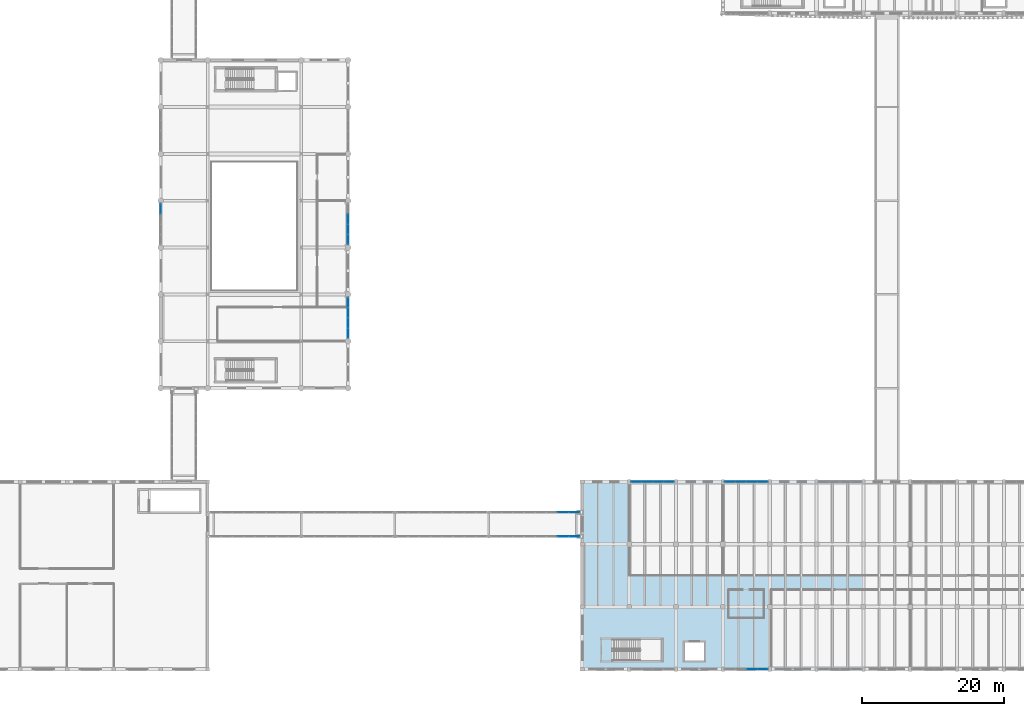
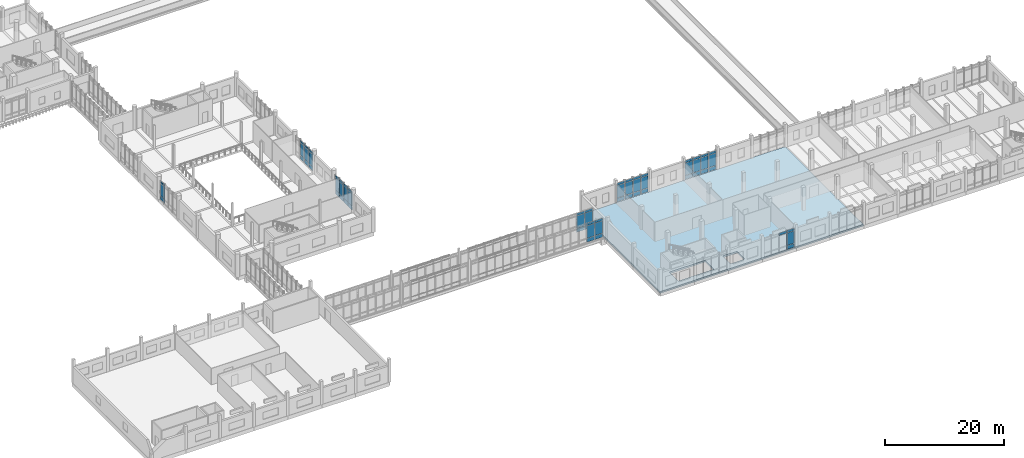
# One storey, part 50 of 101: 64 plates, 1 slab, 8 elements without a shape of their own.
"""IFC4 building model written with IfcOpenShell, lengths in metres."""

from ifc_helpers import new_model, si_unit, direction, frame, origin, origin_2d, place, context, subcontext, project, spatial, polyline, rectangle, outline, extrude, material, layer, layer_set, type_object, element, aggregate, save


model = new_model("IFC4")

# Units and contexts
model_context = context("Model", 3, precision=1e-05, world=origin(), true_north=direction((0.0, 1.0)))
body_context = subcontext(model_context, "Body", "Model", "MODEL_VIEW")
ifc_project = project(units=[si_unit("LENGTHUNIT", "METRE"), si_unit("AREAUNIT", "SQUARE_METRE"), si_unit("VOLUMEUNIT", "CUBIC_METRE"), si_unit("PLANEANGLEUNIT", "RADIAN"), si_unit("MASSUNIT", "GRAM", prefix="KILO")], contexts=[model_context])

# Site, building, storey
site_placement = place(None, origin())
site = spatial("IfcSite", under=ifc_project, at=site_placement, CompositionType="ELEMENT")
building_placement = place(site_placement, origin())
building = spatial("IfcBuilding", under=site, at=building_placement, Name="Dornvale Research Institute", CompositionType="ELEMENT")
storey_placement = place(building_placement, frame((0.0, 0.0, 10.199951171875)))
storey = spatial("IfcBuildingStorey", under=building, at=storey_placement, Name="L02", CompositionType="ELEMENT", Elevation=10.199951171875)

# Curtain wall, plate
ifc_material_1 = material(Name="Low-E Argon Double Insulating Glazing Unit", Category="glass")
curtain_wall_type_1 = type_object("IfcCurtainWallType", Name="UnitisedCurtainWall_V2_5810x3950", PredefinedType="USERDEFINED", material=ifc_material_1)
curtain_wall_1_placement = place(storey_placement, origin())
curtain_wall_1 = element("IfcCurtainWall", 1, at=curtain_wall_1_placement, inside=storey, type_object=curtain_wall_type_1, Name="L02 V2 unitised curtain wall CW-02 #10", ObjectType="UNITISED CURTAIN WALL", PredefinedType="USERDEFINED")
ifc_material_2 = material(Name="Insulated Ceramic-Frit Spandrel Glass Panel", Category="glass")
ifc_layer_1 = layer(ifc_material_2, 0.0419921875)
ifc_layer_set_1 = layer_set([ifc_layer_1], Name="Insulated Ceramic-Frit Spandrel Glass Panel")
plate_type_1 = type_object("IfcPlateType", Name="CurtainPanel_Spandrel_42", PredefinedType="CURTAIN_PANEL", material=ifc_layer_set_1)
plate_1_placement = place(storey_placement, frame((39.60009765625, 64.862548828125, 0.065185546875), z_axis=(0.0, 0.0, 1.0), x_axis=(0.0, 1.0, 0.0)))
plate_1 = element("IfcPlate", 2, at=plate_1_placement, type_object=plate_type_1, Name="CW-02 panel 4.1", PredefinedType="CURTAIN_PANEL", context=body_context, shape_type="SweptSolid", body=[
    extrude(rectangle(XDim=1.35498046875, YDim=0.0419921875, at=origin_2d()), origin(), (0.0, 0.0, 1.0), 0.75244140625),
])

# Curtain wall, plates
curtain_wall_2_placement = place(storey_placement, origin())
curtain_wall_2 = element("IfcCurtainWall", 3, at=curtain_wall_2_placement, inside=storey, type_object=curtain_wall_type_1, Name="L02 V2 unitised curtain wall CW-02 #13", ObjectType="UNITISED CURTAIN WALL", PredefinedType="USERDEFINED")
plate_2_placement = place(storey_placement, frame((66.0, 63.42626953125, 0.065185546875), z_axis=(0.0, 0.0, 1.0), x_axis=(0.0, -1.0, 0.0)))
plate_2 = element("IfcPlate", 4, at=plate_2_placement, type_object=plate_type_1, Name="CW-02 panel 2.1", PredefinedType="CURTAIN_PANEL", context=body_context, shape_type="SweptSolid", body=[
    extrude(rectangle(XDim=1.387451171875, YDim=0.0419921875, at=origin_2d()), origin(), (0.0, 0.0, 1.0), 0.75244140625),
])
plate_3_placement = place(storey_placement, frame((66.0, 61.9736328125, 0.065185546875), z_axis=(0.0, 0.0, 1.0), x_axis=(0.0, -1.0, 0.0)))
plate_3 = element("IfcPlate", 5, at=plate_3_placement, type_object=plate_type_1, Name="CW-02 panel 3.1", PredefinedType="CURTAIN_PANEL", context=body_context, shape_type="SweptSolid", body=[
    extrude(rectangle(XDim=1.387451171875, YDim=0.0419921875, at=origin_2d()), origin(), (0.0, 0.0, 1.0), 0.75244140625),
])
plate_4_placement = place(storey_placement, frame((66.0, 60.53759765625, 0.065185546875), z_axis=(0.0, 0.0, 1.0), x_axis=(0.0, -1.0, 0.0)))
plate_4 = element("IfcPlate", 6, at=plate_4_placement, type_object=plate_type_1, Name="CW-02 panel 4.1", PredefinedType="CURTAIN_PANEL", context=body_context, shape_type="SweptSolid", body=[
    extrude(rectangle(XDim=1.35498046875, YDim=0.0419921875, at=origin_2d()), origin(), (0.0, 0.0, 1.0), 0.75244140625),
])

curtain_wall_3_placement = place(storey_placement, origin())
curtain_wall_3 = element("IfcCurtainWall", 7, at=curtain_wall_3_placement, inside=storey, type_object=curtain_wall_type_1, Name="L02 V2 unitised curtain wall CW-02 #14", ObjectType="UNITISED CURTAIN WALL", PredefinedType="USERDEFINED")
plate_5_placement = place(storey_placement, frame((66.0, 51.66259765625, 0.065185546875), z_axis=(0.0, 0.0, 1.0), x_axis=(0.0, -1.0, 0.0)))
plate_5 = element("IfcPlate", 8, at=plate_5_placement, type_object=plate_type_1, Name="CW-02 panel 1.1", PredefinedType="CURTAIN_PANEL", context=body_context, shape_type="SweptSolid", body=[
    extrude(rectangle(XDim=1.35498046875, YDim=0.0419921875, at=origin_2d()), origin(), (0.0, 0.0, 1.0), 0.75244140625),
])
plate_6_placement = place(storey_placement, frame((66.0, 50.226318359375, 0.065185546875), z_axis=(0.0, 0.0, 1.0), x_axis=(0.0, -1.0, 0.0)))
plate_6 = element("IfcPlate", 9, at=plate_6_placement, type_object=plate_type_1, Name="CW-02 panel 2.1", PredefinedType="CURTAIN_PANEL", context=body_context, shape_type="SweptSolid", body=[
    extrude(rectangle(XDim=1.387451171875, YDim=0.0419921875, at=origin_2d()), origin(), (0.0, 0.0, 1.0), 0.75244140625),
])
plate_7_placement = place(storey_placement, frame((66.0, 48.773681640625, 0.065185546875), z_axis=(0.0, 0.0, 1.0), x_axis=(0.0, -1.0, 0.0)))
plate_7 = element("IfcPlate", 10, at=plate_7_placement, type_object=plate_type_1, Name="CW-02 panel 3.1", PredefinedType="CURTAIN_PANEL", context=body_context, shape_type="SweptSolid", body=[
    extrude(rectangle(XDim=1.387451171875, YDim=0.0419921875, at=origin_2d()), origin(), (0.0, 0.0, 1.0), 0.75244140625),
])
plate_8_placement = place(storey_placement, frame((66.0, 47.33740234375, 0.065185546875), z_axis=(0.0, 0.0, 1.0), x_axis=(0.0, -1.0, 0.0)))
plate_8 = element("IfcPlate", 11, at=plate_8_placement, type_object=plate_type_1, Name="CW-02 panel 4.1", PredefinedType="CURTAIN_PANEL", context=body_context, shape_type="SweptSolid", body=[
    extrude(rectangle(XDim=1.35498046875, YDim=0.0419921875, at=origin_2d()), origin(), (0.0, 0.0, 1.0), 0.75244140625),
])

ifc_material_3 = material(Name="Low-E Argon Double Insulating Glazing Unit", Category="glass")
curtain_wall_type_2 = type_object("IfcCurtainWallType", Name="UnitisedCurtainWall_V3_6150x4000", PredefinedType="USERDEFINED", material=ifc_material_3)
curtain_wall_4_placement = place(storey_placement, origin())
curtain_wall_4 = element("IfcCurtainWall", 12, at=curtain_wall_4_placement, inside=storey, type_object=curtain_wall_type_2, Name="L02 V3 unitised curtain wall CW-06 #42", ObjectType="UNITISED CURTAIN WALL", PredefinedType="USERDEFINED")
plate_9_placement = place(storey_placement, frame((106.610107421875, 26.39990234375, 0.065185546875), z_axis=(0.0, 0.0, 1.0), x_axis=(1.0, 0.0, 0.0)))
plate_9 = element("IfcPlate", 13, at=plate_9_placement, type_object=plate_type_1, Name="CW-06 panel 1.1", PredefinedType="CURTAIN_PANEL", context=body_context, shape_type="SweptSolid", body=[
    extrude(rectangle(XDim=1.43994140625, YDim=0.0419921875, at=origin_2d()), origin(), (0.0, 0.0, 1.0), 0.75244140625),
])
plate_10_placement = place(storey_placement, frame((108.13134765625, 26.39990234375, 0.065185546875), z_axis=(0.0, 0.0, 1.0), x_axis=(1.0, 0.0, 0.0)))
plate_10 = element("IfcPlate", 14, at=plate_10_placement, type_object=plate_type_1, Name="CW-06 panel 2.1", PredefinedType="CURTAIN_PANEL", context=body_context, shape_type="SweptSolid", body=[
    extrude(rectangle(XDim=1.472412109375, YDim=0.0419921875, at=origin_2d()), origin(), (0.0, 0.0, 1.0), 0.75244140625),
])
plate_11_placement = place(storey_placement, frame((109.668701171875, 26.39990234375, 0.065185546875), z_axis=(0.0, 0.0, 1.0), x_axis=(1.0, 0.0, 0.0)))
plate_11 = element("IfcPlate", 15, at=plate_11_placement, type_object=plate_type_1, Name="CW-06 panel 3.1", PredefinedType="CURTAIN_PANEL", context=body_context, shape_type="SweptSolid", body=[
    extrude(rectangle(XDim=1.472412109375, YDim=0.0419921875, at=origin_2d()), origin(), (0.0, 0.0, 1.0), 0.75244140625),
])
plate_12_placement = place(storey_placement, frame((111.18994140625, 26.39990234375, 0.065185546875), z_axis=(0.0, 0.0, 1.0), x_axis=(1.0, 0.0, 0.0)))
plate_12 = element("IfcPlate", 16, at=plate_12_placement, type_object=plate_type_1, Name="CW-06 panel 4.1", PredefinedType="CURTAIN_PANEL", context=body_context, shape_type="SweptSolid", body=[
    extrude(rectangle(XDim=1.43994140625, YDim=0.0419921875, at=origin_2d()), origin(), (0.0, 0.0, 1.0), 0.75244140625),
])

curtain_wall_5_placement = place(storey_placement, origin())
curtain_wall_5 = element("IfcCurtainWall", 17, at=curtain_wall_5_placement, inside=storey, type_object=curtain_wall_type_2, Name="L02 V3 unitised curtain wall CW-06 #43", ObjectType="UNITISED CURTAIN WALL", PredefinedType="USERDEFINED")
plate_13_placement = place(storey_placement, frame((119.81005859375, 26.39990234375, 0.065185546875), z_axis=(0.0, 0.0, 1.0), x_axis=(1.0, 0.0, 0.0)))
plate_13 = element("IfcPlate", 18, at=plate_13_placement, type_object=plate_type_1, Name="CW-06 panel 1.1", PredefinedType="CURTAIN_PANEL", context=body_context, shape_type="SweptSolid", body=[
    extrude(rectangle(XDim=1.43994140625, YDim=0.0419921875, at=origin_2d()), origin(), (0.0, 0.0, 1.0), 0.75244140625),
])
plate_14_placement = place(storey_placement, frame((121.331298828125, 26.39990234375, 0.065185546875), z_axis=(0.0, 0.0, 1.0), x_axis=(1.0, 0.0, 0.0)))
plate_14 = element("IfcPlate", 19, at=plate_14_placement, type_object=plate_type_1, Name="CW-06 panel 2.1", PredefinedType="CURTAIN_PANEL", context=body_context, shape_type="SweptSolid", body=[
    extrude(rectangle(XDim=1.472412109375, YDim=0.0419921875, at=origin_2d()), origin(), (0.0, 0.0, 1.0), 0.75244140625),
])
plate_15_placement = place(storey_placement, frame((122.86865234375, 26.39990234375, 0.065185546875), z_axis=(0.0, 0.0, 1.0), x_axis=(1.0, 0.0, 0.0)))
plate_15 = element("IfcPlate", 20, at=plate_15_placement, type_object=plate_type_1, Name="CW-06 panel 3.1", PredefinedType="CURTAIN_PANEL", context=body_context, shape_type="SweptSolid", body=[
    extrude(rectangle(XDim=1.472412109375, YDim=0.0419921875, at=origin_2d()), origin(), (0.0, 0.0, 1.0), 0.75244140625),
])
plate_16_placement = place(storey_placement, frame((124.389892578125, 26.39990234375, 0.065185546875), z_axis=(0.0, 0.0, 1.0), x_axis=(1.0, 0.0, 0.0)))
plate_16 = element("IfcPlate", 21, at=plate_16_placement, type_object=plate_type_1, Name="CW-06 panel 4.1", PredefinedType="CURTAIN_PANEL", context=body_context, shape_type="SweptSolid", body=[
    extrude(rectangle(XDim=1.43994140625, YDim=0.0419921875, at=origin_2d()), origin(), (0.0, 0.0, 1.0), 0.75244140625),
])

# Curtain wall, plate
curtain_wall_6_placement = place(storey_placement, origin())
curtain_wall_6 = element("IfcCurtainWall", 22, at=curtain_wall_6_placement, inside=storey, type_object=curtain_wall_type_2, Name="L02 V3 unitised curtain wall CW-06 #52", ObjectType="UNITISED CURTAIN WALL", PredefinedType="USERDEFINED")
plate_17_placement = place(storey_placement, frame((124.389892578125, 0.0, 0.065185546875), z_axis=(0.0, 0.0, 1.0), x_axis=(-1.0, 0.0, 0.0)))
plate_17 = element("IfcPlate", 23, at=plate_17_placement, type_object=plate_type_1, Name="CW-06 panel 1.1", PredefinedType="CURTAIN_PANEL", context=body_context, shape_type="SweptSolid", body=[
    extrude(rectangle(XDim=1.43994140625, YDim=0.0419921875, at=origin_2d()), origin(), (0.0, 0.0, 1.0), 0.75244140625),
])

# Curtain wall, plates
ifc_material_4 = material(Name="Low-E Argon Double Insulating Glazing Unit", Category="glass")
curtain_wall_type_3 = type_object("IfcCurtainWallType", Name="UnitisedCurtainWall_V2_12600x4000", PredefinedType="USERDEFINED", material=ifc_material_4)
curtain_wall_7_placement = place(storey_placement, origin())
curtain_wall_7 = element("IfcCurtainWall", 24, at=curtain_wall_7_placement, inside=storey, type_object=curtain_wall_type_3, Name="L02 V2 unitised curtain wall CW-41 #229", ObjectType="UNITISED CURTAIN WALL", PredefinedType="USERDEFINED")
plate_18_placement = place(storey_placement, frame((96.28759765625, 22.10009765625, 0.065185546875), z_axis=(0.0, 0.0, 1.0), x_axis=(1.0, 0.0, 0.0)))
plate_18 = element("IfcPlate", 25, at=plate_18_placement, type_object=plate_type_1, Name="CW-41 panel 7.1", PredefinedType="CURTAIN_PANEL", context=body_context, shape_type="SweptSolid", body=[
    extrude(rectangle(XDim=1.510009765625, YDim=0.0419921875, at=origin_2d()), origin(), (0.0, 0.0, 1.0), 0.75244140625),
])
plate_19_placement = place(storey_placement, frame((97.84619140625, 22.10009765625, 0.065185546875), z_axis=(0.0, 0.0, 1.0), x_axis=(1.0, 0.0, 0.0)))
plate_19 = element("IfcPlate", 26, at=plate_19_placement, type_object=plate_type_1, Name="CW-41 panel 8.1", PredefinedType="CURTAIN_PANEL", context=body_context, shape_type="SweptSolid", body=[
    extrude(rectangle(XDim=1.4775390625, YDim=0.0419921875, at=origin_2d()), origin(), (0.0, 0.0, 1.0), 0.75244140625),
])

curtain_wall_8_placement = place(storey_placement, origin())
curtain_wall_8 = element("IfcCurtainWall", 27, at=curtain_wall_8_placement, inside=storey, type_object=curtain_wall_type_3, Name="L02 V2 unitised curtain wall CW-41 #230", ObjectType="UNITISED CURTAIN WALL", PredefinedType="USERDEFINED")
plate_20_placement = place(storey_placement, frame((97.84619140625, 18.699951171875, 0.065185546875), z_axis=(0.0, 0.0, 1.0), x_axis=(-1.0, 0.0, 0.0)))
plate_20 = element("IfcPlate", 28, at=plate_20_placement, type_object=plate_type_1, Name="CW-41 panel 1.1", PredefinedType="CURTAIN_PANEL", context=body_context, shape_type="SweptSolid", body=[
    extrude(rectangle(XDim=1.4775390625, YDim=0.0419921875, at=origin_2d()), origin(), (0.0, 0.0, 1.0), 0.75244140625),
])
plate_21_placement = place(storey_placement, frame((96.28759765625, 18.699951171875, 0.065185546875), z_axis=(0.0, 0.0, 1.0), x_axis=(-1.0, 0.0, 0.0)))
plate_21 = element("IfcPlate", 29, at=plate_21_placement, type_object=plate_type_1, Name="CW-41 panel 2.1", PredefinedType="CURTAIN_PANEL", context=body_context, shape_type="SweptSolid", body=[
    extrude(rectangle(XDim=1.510009765625, YDim=0.0419921875, at=origin_2d()), origin(), (0.0, 0.0, 1.0), 0.75244140625),
])

# Plate
ifc_material_5 = material(Name="Low-E Argon Double Insulating Glazing Unit", Category="glass")
ifc_layer_2 = layer(ifc_material_5, 0.028076171875)
ifc_layer_set_2 = layer_set([ifc_layer_2], Name="Low-E Argon Double Insulating Glazing Unit")
plate_type_2 = type_object("IfcPlateType", Name="CurtainPanel_Vision_28", PredefinedType="CURTAIN_PANEL", material=ifc_layer_set_2)
plate_22_placement = place(storey_placement, frame((39.60009765625, 64.862548828125, 0.88232421875), z_axis=(0.0, 0.0, 1.0), x_axis=(0.0, 1.0, 0.0)))
plate_22 = element("IfcPlate", 30, at=plate_22_placement, type_object=plate_type_2, Name="CW-02 panel 4.2", PredefinedType="CURTAIN_PANEL", context=body_context, shape_type="SweptSolid", body=[
    extrude(rectangle(XDim=1.35498046875, YDim=0.028076171875, at=origin_2d()), origin(), (0.0, 0.0, 1.0), 2.485107421875),
])

plate_23_placement = place(storey_placement, frame((39.60009765625, 64.862548828125, 3.4326171875), z_axis=(0.0, 0.0, 1.0), x_axis=(0.0, 1.0, 0.0)))
plate_23 = element("IfcPlate", 31, at=plate_23_placement, type_object=plate_type_2, Name="CW-02 panel 4.3", PredefinedType="CURTAIN_PANEL", context=body_context, shape_type="SweptSolid", body=[
    extrude(rectangle(XDim=1.35498046875, YDim=0.028076171875, at=origin_2d()), origin(), (0.0, 0.0, 1.0), 0.452392578125),
])

aggregate(curtain_wall_1, [plate_1, plate_22, plate_23])

plate_24_placement = place(storey_placement, frame((66.0, 63.42626953125, 0.88232421875), z_axis=(0.0, 0.0, 1.0), x_axis=(0.0, -1.0, 0.0)))
plate_24 = element("IfcPlate", 32, at=plate_24_placement, type_object=plate_type_2, Name="CW-02 panel 2.2", PredefinedType="CURTAIN_PANEL", context=body_context, shape_type="SweptSolid", body=[
    extrude(rectangle(XDim=1.387451171875, YDim=0.028076171875, at=origin_2d()), origin(), (0.0, 0.0, 1.0), 2.485107421875),
])

plate_25_placement = place(storey_placement, frame((66.0, 63.42626953125, 3.4326171875), z_axis=(0.0, 0.0, 1.0), x_axis=(0.0, -1.0, 0.0)))
plate_25 = element("IfcPlate", 33, at=plate_25_placement, type_object=plate_type_2, Name="CW-02 panel 2.3", PredefinedType="CURTAIN_PANEL", context=body_context, shape_type="SweptSolid", body=[
    extrude(rectangle(XDim=1.387451171875, YDim=0.028076171875, at=origin_2d()), origin(), (0.0, 0.0, 1.0), 0.452392578125),
])

plate_26_placement = place(storey_placement, frame((66.0, 61.9736328125, 0.88232421875), z_axis=(0.0, 0.0, 1.0), x_axis=(0.0, -1.0, 0.0)))
plate_26 = element("IfcPlate", 34, at=plate_26_placement, type_object=plate_type_2, Name="CW-02 panel 3.2", PredefinedType="CURTAIN_PANEL", context=body_context, shape_type="SweptSolid", body=[
    extrude(rectangle(XDim=1.387451171875, YDim=0.028076171875, at=origin_2d()), origin(), (0.0, 0.0, 1.0), 2.485107421875),
])

plate_27_placement = place(storey_placement, frame((66.0, 61.9736328125, 3.4326171875), z_axis=(0.0, 0.0, 1.0), x_axis=(0.0, -1.0, 0.0)))
plate_27 = element("IfcPlate", 35, at=plate_27_placement, type_object=plate_type_2, Name="CW-02 panel 3.3", PredefinedType="CURTAIN_PANEL", context=body_context, shape_type="SweptSolid", body=[
    extrude(rectangle(XDim=1.387451171875, YDim=0.028076171875, at=origin_2d()), origin(), (0.0, 0.0, 1.0), 0.452392578125),
])

plate_28_placement = place(storey_placement, frame((66.0, 60.53759765625, 0.88232421875), z_axis=(0.0, 0.0, 1.0), x_axis=(0.0, -1.0, 0.0)))
plate_28 = element("IfcPlate", 36, at=plate_28_placement, type_object=plate_type_2, Name="CW-02 panel 4.2", PredefinedType="CURTAIN_PANEL", context=body_context, shape_type="SweptSolid", body=[
    extrude(rectangle(XDim=1.35498046875, YDim=0.028076171875, at=origin_2d()), origin(), (0.0, 0.0, 1.0), 2.485107421875),
])

plate_29_placement = place(storey_placement, frame((66.0, 60.53759765625, 3.4326171875), z_axis=(0.0, 0.0, 1.0), x_axis=(0.0, -1.0, 0.0)))
plate_29 = element("IfcPlate", 37, at=plate_29_placement, type_object=plate_type_2, Name="CW-02 panel 4.3", PredefinedType="CURTAIN_PANEL", context=body_context, shape_type="SweptSolid", body=[
    extrude(rectangle(XDim=1.35498046875, YDim=0.028076171875, at=origin_2d()), origin(), (0.0, 0.0, 1.0), 0.452392578125),
])

aggregate(curtain_wall_2, [plate_2, plate_24, plate_25, plate_3, plate_26, plate_27, plate_4, plate_28, plate_29])

plate_30_placement = place(storey_placement, frame((66.0, 51.66259765625, 0.88232421875), z_axis=(0.0, 0.0, 1.0), x_axis=(0.0, -1.0, 0.0)))
plate_30 = element("IfcPlate", 38, at=plate_30_placement, type_object=plate_type_2, Name="CW-02 panel 1.2", PredefinedType="CURTAIN_PANEL", context=body_context, shape_type="SweptSolid", body=[
    extrude(rectangle(XDim=1.35498046875, YDim=0.028076171875, at=origin_2d()), origin(), (0.0, 0.0, 1.0), 2.485107421875),
])

plate_31_placement = place(storey_placement, frame((66.0, 51.66259765625, 3.4326171875), z_axis=(0.0, 0.0, 1.0), x_axis=(0.0, -1.0, 0.0)))
plate_31 = element("IfcPlate", 39, at=plate_31_placement, type_object=plate_type_2, Name="CW-02 panel 1.3", PredefinedType="CURTAIN_PANEL", context=body_context, shape_type="SweptSolid", body=[
    extrude(rectangle(XDim=1.35498046875, YDim=0.028076171875, at=origin_2d()), origin(), (0.0, 0.0, 1.0), 0.452392578125),
])

plate_32_placement = place(storey_placement, frame((66.0, 50.226318359375, 0.88232421875), z_axis=(0.0, 0.0, 1.0), x_axis=(0.0, -1.0, 0.0)))
plate_32 = element("IfcPlate", 40, at=plate_32_placement, type_object=plate_type_2, Name="CW-02 panel 2.2", PredefinedType="CURTAIN_PANEL", context=body_context, shape_type="SweptSolid", body=[
    extrude(rectangle(XDim=1.387451171875, YDim=0.028076171875, at=origin_2d()), origin(), (0.0, 0.0, 1.0), 2.485107421875),
])

plate_33_placement = place(storey_placement, frame((66.0, 50.226318359375, 3.4326171875), z_axis=(0.0, 0.0, 1.0), x_axis=(0.0, -1.0, 0.0)))
plate_33 = element("IfcPlate", 41, at=plate_33_placement, type_object=plate_type_2, Name="CW-02 panel 2.3", PredefinedType="CURTAIN_PANEL", context=body_context, shape_type="SweptSolid", body=[
    extrude(rectangle(XDim=1.387451171875, YDim=0.028076171875, at=origin_2d()), origin(), (0.0, 0.0, 1.0), 0.452392578125),
])

plate_34_placement = place(storey_placement, frame((66.0, 48.773681640625, 0.88232421875), z_axis=(0.0, 0.0, 1.0), x_axis=(0.0, -1.0, 0.0)))
plate_34 = element("IfcPlate", 42, at=plate_34_placement, type_object=plate_type_2, Name="CW-02 panel 3.2", PredefinedType="CURTAIN_PANEL", context=body_context, shape_type="SweptSolid", body=[
    extrude(rectangle(XDim=1.387451171875, YDim=0.028076171875, at=origin_2d()), origin(), (0.0, 0.0, 1.0), 2.485107421875),
])

plate_35_placement = place(storey_placement, frame((66.0, 48.773681640625, 3.4326171875), z_axis=(0.0, 0.0, 1.0), x_axis=(0.0, -1.0, 0.0)))
plate_35 = element("IfcPlate", 43, at=plate_35_placement, type_object=plate_type_2, Name="CW-02 panel 3.3", PredefinedType="CURTAIN_PANEL", context=body_context, shape_type="SweptSolid", body=[
    extrude(rectangle(XDim=1.387451171875, YDim=0.028076171875, at=origin_2d()), origin(), (0.0, 0.0, 1.0), 0.452392578125),
])

plate_36_placement = place(storey_placement, frame((66.0, 47.33740234375, 0.88232421875), z_axis=(0.0, 0.0, 1.0), x_axis=(0.0, -1.0, 0.0)))
plate_36 = element("IfcPlate", 44, at=plate_36_placement, type_object=plate_type_2, Name="CW-02 panel 4.2", PredefinedType="CURTAIN_PANEL", context=body_context, shape_type="SweptSolid", body=[
    extrude(rectangle(XDim=1.35498046875, YDim=0.028076171875, at=origin_2d()), origin(), (0.0, 0.0, 1.0), 2.485107421875),
])

plate_37_placement = place(storey_placement, frame((66.0, 47.33740234375, 3.4326171875), z_axis=(0.0, 0.0, 1.0), x_axis=(0.0, -1.0, 0.0)))
plate_37 = element("IfcPlate", 45, at=plate_37_placement, type_object=plate_type_2, Name="CW-02 panel 4.3", PredefinedType="CURTAIN_PANEL", context=body_context, shape_type="SweptSolid", body=[
    extrude(rectangle(XDim=1.35498046875, YDim=0.028076171875, at=origin_2d()), origin(), (0.0, 0.0, 1.0), 0.452392578125),
])

aggregate(curtain_wall_3, [plate_5, plate_30, plate_31, plate_6, plate_32, plate_33, plate_7, plate_34, plate_35, plate_8, plate_36, plate_37])

plate_38_placement = place(storey_placement, frame((106.610107421875, 26.39990234375, 0.8828125), z_axis=(0.0, 0.0, 1.0), x_axis=(1.0, 0.0, 0.0)))
plate_38 = element("IfcPlate", 46, at=plate_38_placement, type_object=plate_type_2, Name="CW-06 panel 1.2", PredefinedType="CURTAIN_PANEL", context=body_context, shape_type="SweptSolid", body=[
    extrude(rectangle(XDim=1.43994140625, YDim=0.028076171875, at=origin_2d()), origin(), (0.0, 0.0, 1.0), 2.534912109375),
])

plate_39_placement = place(storey_placement, frame((106.610107421875, 26.39990234375, 3.482421875), z_axis=(0.0, 0.0, 1.0), x_axis=(1.0, 0.0, 0.0)))
plate_39 = element("IfcPlate", 47, at=plate_39_placement, type_object=plate_type_2, Name="CW-06 panel 1.3", PredefinedType="CURTAIN_PANEL", context=body_context, shape_type="SweptSolid", body=[
    extrude(rectangle(XDim=1.43994140625, YDim=0.028076171875, at=origin_2d()), origin(), (0.0, 0.0, 1.0), 0.452392578125),
])

plate_40_placement = place(storey_placement, frame((108.13134765625, 26.39990234375, 0.8828125), z_axis=(0.0, 0.0, 1.0), x_axis=(1.0, 0.0, 0.0)))
plate_40 = element("IfcPlate", 48, at=plate_40_placement, type_object=plate_type_2, Name="CW-06 panel 2.2", PredefinedType="CURTAIN_PANEL", context=body_context, shape_type="SweptSolid", body=[
    extrude(rectangle(XDim=1.472412109375, YDim=0.028076171875, at=origin_2d()), origin(), (0.0, 0.0, 1.0), 2.534912109375),
])

plate_41_placement = place(storey_placement, frame((108.13134765625, 26.39990234375, 3.482421875), z_axis=(0.0, 0.0, 1.0), x_axis=(1.0, 0.0, 0.0)))
plate_41 = element("IfcPlate", 49, at=plate_41_placement, type_object=plate_type_2, Name="CW-06 panel 2.3", PredefinedType="CURTAIN_PANEL", context=body_context, shape_type="SweptSolid", body=[
    extrude(rectangle(XDim=1.472412109375, YDim=0.028076171875, at=origin_2d()), origin(), (0.0, 0.0, 1.0), 0.452392578125),
])

plate_42_placement = place(storey_placement, frame((109.668701171875, 26.39990234375, 0.8828125), z_axis=(0.0, 0.0, 1.0), x_axis=(1.0, 0.0, 0.0)))
plate_42 = element("IfcPlate", 50, at=plate_42_placement, type_object=plate_type_2, Name="CW-06 panel 3.2", PredefinedType="CURTAIN_PANEL", context=body_context, shape_type="SweptSolid", body=[
    extrude(rectangle(XDim=1.472412109375, YDim=0.028076171875, at=origin_2d()), origin(), (0.0, 0.0, 1.0), 2.534912109375),
])

plate_43_placement = place(storey_placement, frame((109.668701171875, 26.39990234375, 3.482421875), z_axis=(0.0, 0.0, 1.0), x_axis=(1.0, 0.0, 0.0)))
plate_43 = element("IfcPlate", 51, at=plate_43_placement, type_object=plate_type_2, Name="CW-06 panel 3.3", PredefinedType="CURTAIN_PANEL", context=body_context, shape_type="SweptSolid", body=[
    extrude(rectangle(XDim=1.472412109375, YDim=0.028076171875, at=origin_2d()), origin(), (0.0, 0.0, 1.0), 0.452392578125),
])

plate_44_placement = place(storey_placement, frame((111.18994140625, 26.39990234375, 0.8828125), z_axis=(0.0, 0.0, 1.0), x_axis=(1.0, 0.0, 0.0)))
plate_44 = element("IfcPlate", 52, at=plate_44_placement, type_object=plate_type_2, Name="CW-06 panel 4.2", PredefinedType="CURTAIN_PANEL", context=body_context, shape_type="SweptSolid", body=[
    extrude(rectangle(XDim=1.43994140625, YDim=0.028076171875, at=origin_2d()), origin(), (0.0, 0.0, 1.0), 2.534912109375),
])

plate_45_placement = place(storey_placement, frame((111.18994140625, 26.39990234375, 3.482421875), z_axis=(0.0, 0.0, 1.0), x_axis=(1.0, 0.0, 0.0)))
plate_45 = element("IfcPlate", 53, at=plate_45_placement, type_object=plate_type_2, Name="CW-06 panel 4.3", PredefinedType="CURTAIN_PANEL", context=body_context, shape_type="SweptSolid", body=[
    extrude(rectangle(XDim=1.43994140625, YDim=0.028076171875, at=origin_2d()), origin(), (0.0, 0.0, 1.0), 0.452392578125),
])

aggregate(curtain_wall_4, [plate_9, plate_38, plate_39, plate_10, plate_40, plate_41, plate_11, plate_42, plate_43, plate_12, plate_44, plate_45])

plate_46_placement = place(storey_placement, frame((119.81005859375, 26.39990234375, 0.8828125), z_axis=(0.0, 0.0, 1.0), x_axis=(1.0, 0.0, 0.0)))
plate_46 = element("IfcPlate", 54, at=plate_46_placement, type_object=plate_type_2, Name="CW-06 panel 1.2", PredefinedType="CURTAIN_PANEL", context=body_context, shape_type="SweptSolid", body=[
    extrude(rectangle(XDim=1.43994140625, YDim=0.028076171875, at=origin_2d()), origin(), (0.0, 0.0, 1.0), 2.534912109375),
])

plate_47_placement = place(storey_placement, frame((119.81005859375, 26.39990234375, 3.482421875), z_axis=(0.0, 0.0, 1.0), x_axis=(1.0, 0.0, 0.0)))
plate_47 = element("IfcPlate", 55, at=plate_47_placement, type_object=plate_type_2, Name="CW-06 panel 1.3", PredefinedType="CURTAIN_PANEL", context=body_context, shape_type="SweptSolid", body=[
    extrude(rectangle(XDim=1.43994140625, YDim=0.028076171875, at=origin_2d()), origin(), (0.0, 0.0, 1.0), 0.452392578125),
])

plate_48_placement = place(storey_placement, frame((121.331298828125, 26.39990234375, 0.8828125), z_axis=(0.0, 0.0, 1.0), x_axis=(1.0, 0.0, 0.0)))
plate_48 = element("IfcPlate", 56, at=plate_48_placement, type_object=plate_type_2, Name="CW-06 panel 2.2", PredefinedType="CURTAIN_PANEL", context=body_context, shape_type="SweptSolid", body=[
    extrude(rectangle(XDim=1.472412109375, YDim=0.028076171875, at=origin_2d()), origin(), (0.0, 0.0, 1.0), 2.534912109375),
])

plate_49_placement = place(storey_placement, frame((121.331298828125, 26.39990234375, 3.482421875), z_axis=(0.0, 0.0, 1.0), x_axis=(1.0, 0.0, 0.0)))
plate_49 = element("IfcPlate", 57, at=plate_49_placement, type_object=plate_type_2, Name="CW-06 panel 2.3", PredefinedType="CURTAIN_PANEL", context=body_context, shape_type="SweptSolid", body=[
    extrude(rectangle(XDim=1.472412109375, YDim=0.028076171875, at=origin_2d()), origin(), (0.0, 0.0, 1.0), 0.452392578125),
])

plate_50_placement = place(storey_placement, frame((122.86865234375, 26.39990234375, 0.8828125), z_axis=(0.0, 0.0, 1.0), x_axis=(1.0, 0.0, 0.0)))
plate_50 = element("IfcPlate", 58, at=plate_50_placement, type_object=plate_type_2, Name="CW-06 panel 3.2", PredefinedType="CURTAIN_PANEL", context=body_context, shape_type="SweptSolid", body=[
    extrude(rectangle(XDim=1.472412109375, YDim=0.028076171875, at=origin_2d()), origin(), (0.0, 0.0, 1.0), 2.534912109375),
])

plate_51_placement = place(storey_placement, frame((122.86865234375, 26.39990234375, 3.482421875), z_axis=(0.0, 0.0, 1.0), x_axis=(1.0, 0.0, 0.0)))
plate_51 = element("IfcPlate", 59, at=plate_51_placement, type_object=plate_type_2, Name="CW-06 panel 3.3", PredefinedType="CURTAIN_PANEL", context=body_context, shape_type="SweptSolid", body=[
    extrude(rectangle(XDim=1.472412109375, YDim=0.028076171875, at=origin_2d()), origin(), (0.0, 0.0, 1.0), 0.452392578125),
])

plate_52_placement = place(storey_placement, frame((124.389892578125, 26.39990234375, 0.8828125), z_axis=(0.0, 0.0, 1.0), x_axis=(1.0, 0.0, 0.0)))
plate_52 = element("IfcPlate", 60, at=plate_52_placement, type_object=plate_type_2, Name="CW-06 panel 4.2", PredefinedType="CURTAIN_PANEL", context=body_context, shape_type="SweptSolid", body=[
    extrude(rectangle(XDim=1.43994140625, YDim=0.028076171875, at=origin_2d()), origin(), (0.0, 0.0, 1.0), 2.534912109375),
])

plate_53_placement = place(storey_placement, frame((124.389892578125, 26.39990234375, 3.482421875), z_axis=(0.0, 0.0, 1.0), x_axis=(1.0, 0.0, 0.0)))
plate_53 = element("IfcPlate", 61, at=plate_53_placement, type_object=plate_type_2, Name="CW-06 panel 4.3", PredefinedType="CURTAIN_PANEL", context=body_context, shape_type="SweptSolid", body=[
    extrude(rectangle(XDim=1.43994140625, YDim=0.028076171875, at=origin_2d()), origin(), (0.0, 0.0, 1.0), 0.452392578125),
])

aggregate(curtain_wall_5, [plate_13, plate_46, plate_47, plate_14, plate_48, plate_49, plate_15, plate_50, plate_51, plate_16, plate_52, plate_53])

plate_54_placement = place(storey_placement, frame((124.389892578125, 0.0, 0.8828125), z_axis=(0.0, 0.0, 1.0), x_axis=(-1.0, 0.0, 0.0)))
plate_54 = element("IfcPlate", 62, at=plate_54_placement, type_object=plate_type_2, Name="CW-06 panel 1.2", PredefinedType="CURTAIN_PANEL", context=body_context, shape_type="SweptSolid", body=[
    extrude(rectangle(XDim=1.43994140625, YDim=0.028076171875, at=origin_2d()), origin(), (0.0, 0.0, 1.0), 2.534912109375),
])

plate_55_placement = place(storey_placement, frame((124.389892578125, 0.0, 3.482421875), z_axis=(0.0, 0.0, 1.0), x_axis=(-1.0, 0.0, 0.0)))
plate_55 = element("IfcPlate", 63, at=plate_55_placement, type_object=plate_type_2, Name="CW-06 panel 1.3", PredefinedType="CURTAIN_PANEL", context=body_context, shape_type="SweptSolid", body=[
    extrude(rectangle(XDim=1.43994140625, YDim=0.028076171875, at=origin_2d()), origin(), (0.0, 0.0, 1.0), 0.452392578125),
])

plate_56_placement = place(storey_placement, frame((122.86865234375, 0.0, 3.482421875), z_axis=(0.0, 0.0, 1.0), x_axis=(-1.0, 0.0, 0.0)))
plate_56 = element("IfcPlate", 64, at=plate_56_placement, type_object=plate_type_2, Name="CW-06 panel 2.3", PredefinedType="CURTAIN_PANEL", context=body_context, shape_type="SweptSolid", body=[
    extrude(rectangle(XDim=1.472412109375, YDim=0.028076171875, at=origin_2d()), origin(), (0.0, 0.0, 1.0), 0.452392578125),
])

aggregate(curtain_wall_6, [plate_17, plate_54, plate_55, plate_56])

plate_57_placement = place(storey_placement, frame((96.28759765625, 22.10009765625, 0.8828125), z_axis=(0.0, 0.0, 1.0), x_axis=(1.0, 0.0, 0.0)))
plate_57 = element("IfcPlate", 65, at=plate_57_placement, type_object=plate_type_2, Name="CW-41 panel 7.2", PredefinedType="CURTAIN_PANEL", context=body_context, shape_type="SweptSolid", body=[
    extrude(rectangle(XDim=1.510009765625, YDim=0.028076171875, at=origin_2d()), origin(), (0.0, 0.0, 1.0), 2.534912109375),
])

plate_58_placement = place(storey_placement, frame((96.28759765625, 22.10009765625, 3.482421875), z_axis=(0.0, 0.0, 1.0), x_axis=(1.0, 0.0, 0.0)))
plate_58 = element("IfcPlate", 66, at=plate_58_placement, type_object=plate_type_2, Name="CW-41 panel 7.3", PredefinedType="CURTAIN_PANEL", context=body_context, shape_type="SweptSolid", body=[
    extrude(rectangle(XDim=1.510009765625, YDim=0.028076171875, at=origin_2d()), origin(), (0.0, 0.0, 1.0), 0.452392578125),
])

plate_59_placement = place(storey_placement, frame((97.84619140625, 22.10009765625, 0.8828125), z_axis=(0.0, 0.0, 1.0), x_axis=(1.0, 0.0, 0.0)))
plate_59 = element("IfcPlate", 67, at=plate_59_placement, type_object=plate_type_2, Name="CW-41 panel 8.2", PredefinedType="CURTAIN_PANEL", context=body_context, shape_type="SweptSolid", body=[
    extrude(rectangle(XDim=1.4775390625, YDim=0.028076171875, at=origin_2d()), origin(), (0.0, 0.0, 1.0), 2.534912109375),
])

plate_60_placement = place(storey_placement, frame((97.84619140625, 22.10009765625, 3.482421875), z_axis=(0.0, 0.0, 1.0), x_axis=(1.0, 0.0, 0.0)))
plate_60 = element("IfcPlate", 68, at=plate_60_placement, type_object=plate_type_2, Name="CW-41 panel 8.3", PredefinedType="CURTAIN_PANEL", context=body_context, shape_type="SweptSolid", body=[
    extrude(rectangle(XDim=1.4775390625, YDim=0.028076171875, at=origin_2d()), origin(), (0.0, 0.0, 1.0), 0.452392578125),
])

aggregate(curtain_wall_7, [plate_18, plate_57, plate_58, plate_19, plate_59, plate_60])

plate_61_placement = place(storey_placement, frame((97.84619140625, 18.699951171875, 0.8828125), z_axis=(0.0, 0.0, 1.0), x_axis=(-1.0, 0.0, 0.0)))
plate_61 = element("IfcPlate", 69, at=plate_61_placement, type_object=plate_type_2, Name="CW-41 panel 1.2", PredefinedType="CURTAIN_PANEL", context=body_context, shape_type="SweptSolid", body=[
    extrude(rectangle(XDim=1.4775390625, YDim=0.028076171875, at=origin_2d()), origin(), (0.0, 0.0, 1.0), 2.534912109375),
])

plate_62_placement = place(storey_placement, frame((97.84619140625, 18.699951171875, 3.482421875), z_axis=(0.0, 0.0, 1.0), x_axis=(-1.0, 0.0, 0.0)))
plate_62 = element("IfcPlate", 70, at=plate_62_placement, type_object=plate_type_2, Name="CW-41 panel 1.3", PredefinedType="CURTAIN_PANEL", context=body_context, shape_type="SweptSolid", body=[
    extrude(rectangle(XDim=1.4775390625, YDim=0.028076171875, at=origin_2d()), origin(), (0.0, 0.0, 1.0), 0.452392578125),
])

plate_63_placement = place(storey_placement, frame((96.28759765625, 18.699951171875, 0.8828125), z_axis=(0.0, 0.0, 1.0), x_axis=(-1.0, 0.0, 0.0)))
plate_63 = element("IfcPlate", 71, at=plate_63_placement, type_object=plate_type_2, Name="CW-41 panel 2.2", PredefinedType="CURTAIN_PANEL", context=body_context, shape_type="SweptSolid", body=[
    extrude(rectangle(XDim=1.510009765625, YDim=0.028076171875, at=origin_2d()), origin(), (0.0, 0.0, 1.0), 2.534912109375),
])

plate_64_placement = place(storey_placement, frame((96.28759765625, 18.699951171875, 3.482421875), z_axis=(0.0, 0.0, 1.0), x_axis=(-1.0, 0.0, 0.0)))
plate_64 = element("IfcPlate", 72, at=plate_64_placement, type_object=plate_type_2, Name="CW-41 panel 2.3", PredefinedType="CURTAIN_PANEL", context=body_context, shape_type="SweptSolid", body=[
    extrude(rectangle(XDim=1.510009765625, YDim=0.028076171875, at=origin_2d()), origin(), (0.0, 0.0, 1.0), 0.452392578125),
])

aggregate(curtain_wall_8, [plate_20, plate_61, plate_62, plate_21, plate_63, plate_64])

# Slab
ifc_material_6 = material(Name="Concrete f'c 45 MPa (C35/45)", Category="concrete")
ifc_layer_3 = layer(ifc_material_6, 0.360107421875)
ifc_layer_set_3 = layer_set([ifc_layer_3], Name="Concrete f'c 45 MPa (C35/45)")
slab_type = type_object("IfcSlabType", Name="FloorSlab_Cleanroom_360", PredefinedType="FLOOR", material=ifc_layer_set_3)
slab_placement = place(storey_placement, frame((0.0, 0.0, -0.35986328125)))
element("IfcSlab", 73, at=slab_placement, inside=storey, type_object=slab_type, Name="L02 V3 W floor slab", PredefinedType="FLOOR", context=body_context, shape_type="SweptSolid", body=[
    extrude(outline(polyline([(99.0, 0.0), (99.0, 26.39990234375), (138.60009765625, 26.39990234375), (138.60009765625, 0.0), (99.0, 0.0)]), holes=[polyline([(103.219970703125, 1.199951171875), (110.199951171875, 1.199951171875), (110.199951171875, 4.199951171875), (103.219970703125, 4.199951171875), (103.219970703125, 1.199951171875)]), polyline([(113.39990234375, 1.199951171875), (116.199951171875, 1.199951171875), (116.199951171875, 3.800048828125), (113.39990234375, 3.800048828125), (113.39990234375, 1.199951171875)])]), origin(), (0.0, 0.0, 1.0), 0.35986328125),
])

save(model, "model.ifc")
